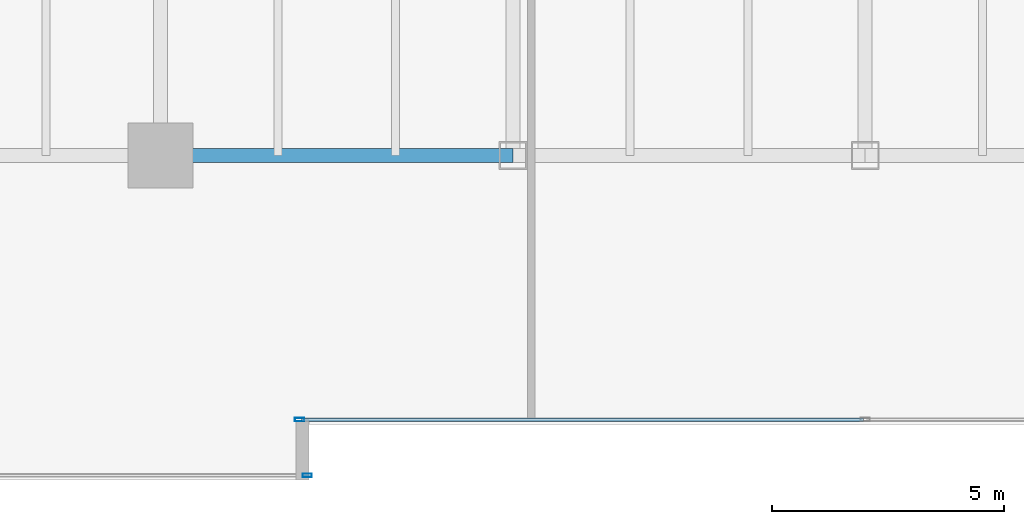
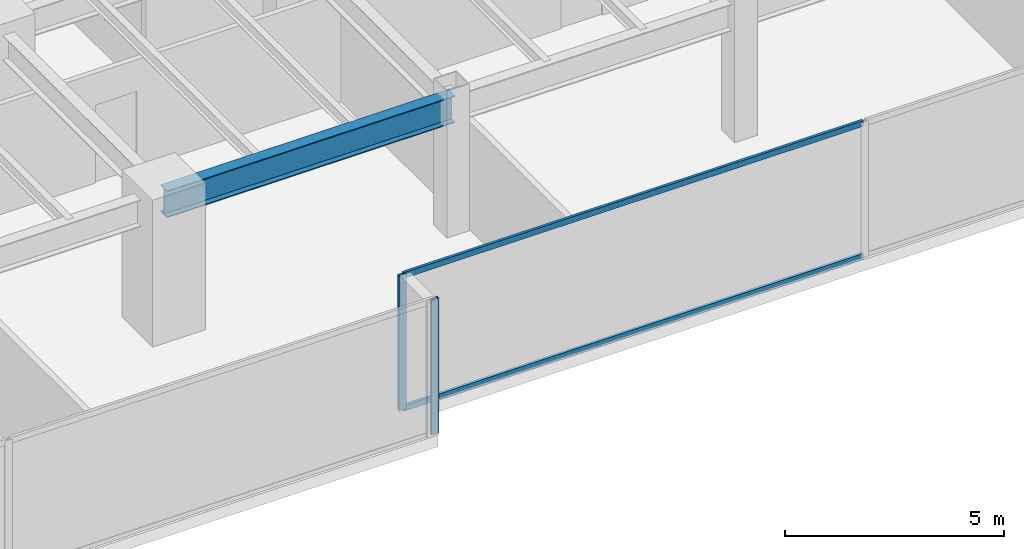
# One storey, part 4 of 35: 4 members, 1 beam, 2 elements without a shape of their own.
"""IFC4 building model written with IfcOpenShell, lengths in metres."""

from ifc_helpers import new_model, si_unit, direction, frame, origin, origin_2d, place, context, subcontext, project, spatial, hollow_rectangle, i_section, extrude, source, transform, mapped, material, layer, layer_set, material_profile, profile_set, type_object, type_shapes, element, aggregate, save


model = new_model("IFC4")

# Units and contexts
model_context = context("Model", 3, precision=1e-05, world=origin(), true_north=direction((0.0, 1.0)))
body_context = subcontext(model_context, "Body", "Model", "MODEL_VIEW")
ifc_project = project(units=[si_unit("LENGTHUNIT", "METRE"), si_unit("AREAUNIT", "SQUARE_METRE"), si_unit("VOLUMEUNIT", "CUBIC_METRE"), si_unit("PLANEANGLEUNIT", "RADIAN"), si_unit("MASSUNIT", "GRAM", prefix="KILO")], contexts=[model_context])

# Site, building, storey
site_placement = place(None, origin())
site = spatial("IfcSite", under=ifc_project, at=site_placement, CompositionType="ELEMENT")
building_placement = place(site_placement, origin())
building = spatial("IfcBuilding", under=site, at=building_placement, Name="Haelvirn Gate Laboratories", CompositionType="ELEMENT")
storey_placement = place(building_placement, frame((0.0, 0.0, 58.0)))
storey = spatial("IfcBuildingStorey", under=building, at=storey_placement, Name="L14", CompositionType="ELEMENT", Elevation=58.0)

# Beam
ifc_material_1 = material(Name="Steel SM355", Category="steel")
ifc_material_profile_1 = material_profile(ifc_material_1, i_section(OverallWidth=0.300048828125, OverallDepth=0.75, WebThickness=0.013916015625, FlangeThickness=0.02392578125, at=origin_2d()), Name="H-750x300x14x24")
ifc_profile_set_1 = profile_set([ifc_material_profile_1], Name="Steel SM355")
beam_type = type_object("IfcBeamType", Name="BM-G-750", PredefinedType="BEAM", material=ifc_profile_set_1)
shared_shape_1 = source(origin(), body_context, "Body", "SweptSolid", [
    extrude(i_section(OverallWidth=0.300048828125, OverallDepth=0.75, WebThickness=0.013916015625, FlangeThickness=0.02392578125, at=origin_2d()), origin(), (0.0, 0.0, 1.0), 7.60009765625),
])
type_shapes(beam_type, [shared_shape_1])
beam_placement = place(storey_placement, frame((22.199951171875, 7.0, 3.405029296875), z_axis=(1.0, 0.0, 0.0), x_axis=(0.0, 1.0, 0.0)))
element("IfcBeam", 1, at=beam_placement, inside=storey, type_object=beam_type, Name="L14 Primary Girder Y7.0 (22.2-29.8)", PredefinedType="BEAM", context=body_context, shape_type="MappedRepresentation", body=[
    mapped(shared_shape_1, transform((0.0, 0.0, 0.0), scale=1.0)),
])

# Curtain wall, member
ifc_material_2 = material(Name="Anodised bronze unitised aluminium & triple low-E glass", Category="aluminium")
ifc_layer = layer(ifc_material_2, 0.18408203125, Name="CW-SYS-2")
ifc_layer_set = layer_set([ifc_layer], Name="Anodised bronze unitised aluminium & triple low-E glass")
curtain_wall_type = type_object("IfcCurtainWallType", Name="CW-SYS-2", PredefinedType="NOTDEFINED", material=ifc_layer_set)
curtain_wall_1_placement = place(storey_placement, origin())
curtain_wall_1 = element("IfcCurtainWall", 2, at=curtain_wall_1_placement, inside=storey, type_object=curtain_wall_type, Name="L14 Unitised Curtain Wall CW-L14-P0-E00-1", PredefinedType="NOTDEFINED")
ifc_material_3 = material(Name="Extruded aluminium 6063-T6 (anodised bronze)", Category="aluminium")
ifc_material_profile_2 = material_profile(ifc_material_3, hollow_rectangle(XDim=0.074951171875, YDim=0.199951171875, WallThickness=0.0048828125, at=origin_2d()), Name="CWM-200x75x5")
ifc_profile_set_2 = profile_set([ifc_material_profile_2], Name="Extruded aluminium 6063-T6 (anodised bronze)")
member_type_1 = type_object("IfcMemberType", Name="CWM-T200", PredefinedType="MULLION", material=ifc_profile_set_2)
shared_shape_2 = source(origin(), body_context, "Body", "SweptSolid", [
    extrude(hollow_rectangle(XDim=0.074951171875, YDim=0.199951171875, WallThickness=0.0048828125, at=origin_2d()), origin(), (0.0, 0.0, 1.0), 3.780029296875),
])
type_shapes(member_type_1, [shared_shape_2])
member_1_placement = place(storey_placement, frame((25.362548828125, 0.10009765625, 0.0), z_axis=(0.0, 0.0, 1.0), x_axis=(0.0, 1.0, 0.0)))
member_1 = element("IfcMember", 3, at=member_1_placement, type_object=member_type_1, Name="CW2 mullion 3", PredefinedType="MULLION", context=body_context, shape_type="MappedRepresentation", body=[
    mapped(shared_shape_2, transform((0.0, 0.0, 0.0), scale=1.0)),
])
aggregate(curtain_wall_1, [member_1])

# Curtain wall, members
curtain_wall_2_placement = place(storey_placement, origin())
curtain_wall_2 = element("IfcCurtainWall", 4, at=curtain_wall_2_placement, inside=storey, type_object=curtain_wall_type, Name="L14 Unitised Curtain Wall CW-L14-P0-E02-1", PredefinedType="NOTDEFINED")
member_2_placement = place(storey_placement, frame((25.197509765625, 1.300048828125, 0.0), z_axis=(0.0, 0.0, 1.0), x_axis=(0.0, 1.0, 0.0)))
member_2 = element("IfcMember", 5, at=member_2_placement, type_object=member_type_1, Name="CW2 mullion 1", PredefinedType="MULLION", context=body_context, shape_type="MappedRepresentation", body=[
    mapped(shared_shape_2, transform((0.0, 0.0, 0.0), scale=1.0)),
])
ifc_material_profile_3 = material_profile(ifc_material_3, hollow_rectangle(XDim=0.070068359375, YDim=0.159912109375, WallThickness=0.0048828125, at=origin_2d()), Name="CWT-160x70x5")
ifc_profile_set_3 = profile_set([ifc_material_profile_3], Name="Extruded aluminium 6063-T6 (anodised bronze)")
member_type_2 = type_object("IfcMemberType", Name="CWT-T160", PredefinedType="USERDEFINED", material=ifc_profile_set_3)
shared_shape_3 = source(origin(), body_context, "Body", "SweptSolid", [
    extrude(hollow_rectangle(XDim=0.070068359375, YDim=0.159912109375, WallThickness=0.0048828125, at=origin_2d()), origin(), (0.0, 0.0, 1.0), 12.12744140625),
])
type_shapes(member_type_2, [shared_shape_3])
member_3_placement = place(storey_placement, frame((25.235107421875, 1.300048828125, 0.034912109375), z_axis=(1.0, 0.0, 0.0), x_axis=(0.0, 1.0, 0.0)))
member_3 = element("IfcMember", 6, at=member_3_placement, type_object=member_type_2, Name="CW2 transom 1.1", ObjectType="TRANSOM", PredefinedType="USERDEFINED", context=body_context, shape_type="MappedRepresentation", body=[
    mapped(shared_shape_3, transform((0.0, 0.0, 0.0), scale=1.0)),
])
member_4_placement = place(storey_placement, frame((25.235107421875, 1.300048828125, 3.7451171875), z_axis=(1.0, 0.0, 0.0), x_axis=(0.0, 1.0, 0.0)))
member_4 = element("IfcMember", 7, at=member_4_placement, type_object=member_type_2, Name="CW2 transom 1.2", ObjectType="TRANSOM", PredefinedType="USERDEFINED", context=body_context, shape_type="MappedRepresentation", body=[
    mapped(shared_shape_3, transform((0.0, 0.0, 0.0), scale=1.0)),
])
aggregate(curtain_wall_2, [member_2, member_3, member_4])

save(model, "model.ifc")
